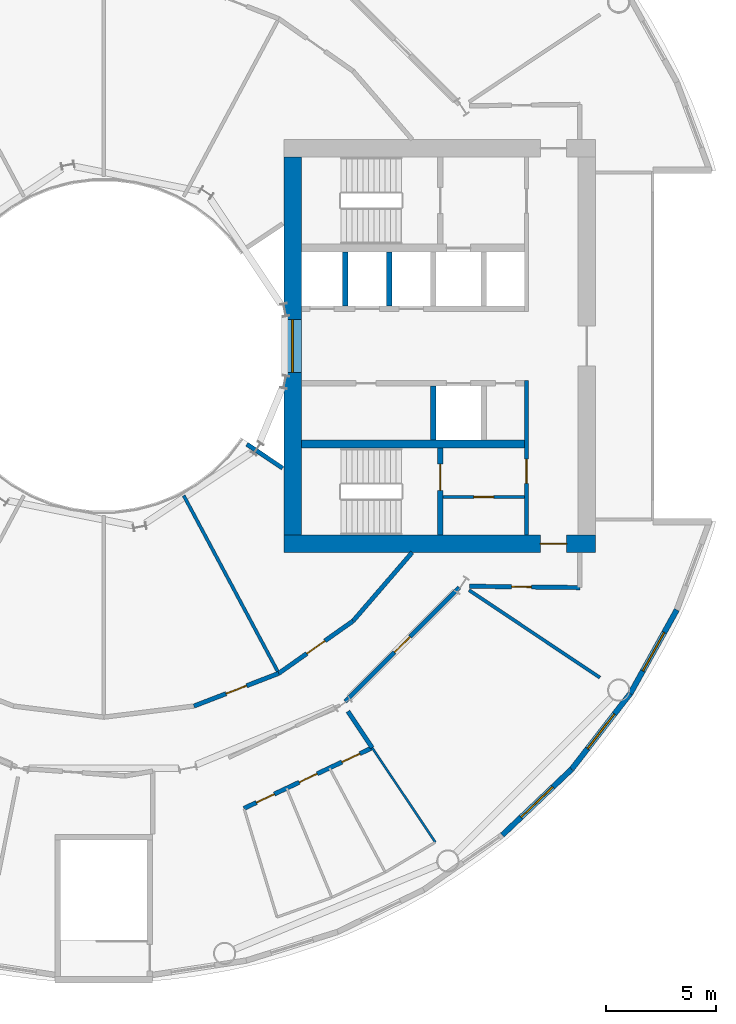
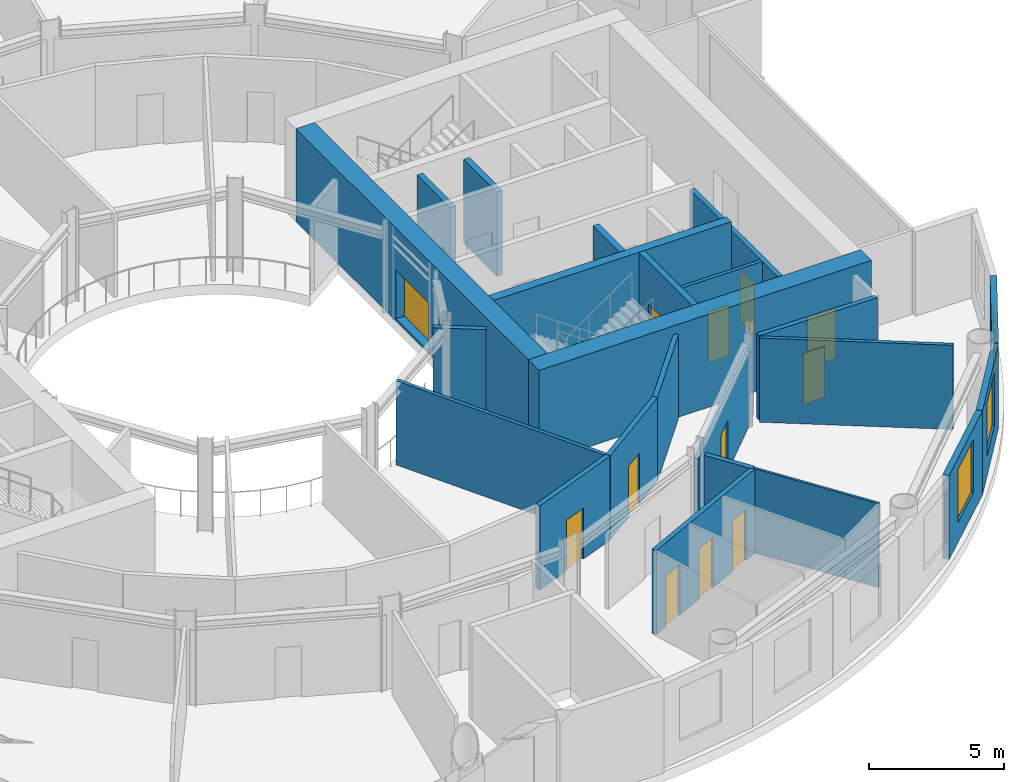
# One storey, part 6 of 13: 23 walls, 11 doors, 4 windows, 15 openings.
"""IFC4 building model written with IfcOpenShell, lengths in metres."""

from ifc_helpers import new_model, si_unit, direction, frame, frame_2d, origin, place, context, subcontext, project, spatial, rectangle, extrude, material, layer, layer_set, type_object, element, fill, save


model = new_model("IFC4")

# Units and contexts
model_context = context("Model", 3, precision=1e-05, world=origin(), true_north=direction((0.0, 1.0)))
body_context = subcontext(model_context, "Body", "Model", "MODEL_VIEW")
ifc_project = project(units=[si_unit("LENGTHUNIT", "METRE"), si_unit("AREAUNIT", "SQUARE_METRE"), si_unit("VOLUMEUNIT", "CUBIC_METRE"), si_unit("PLANEANGLEUNIT", "RADIAN"), si_unit("MASSUNIT", "GRAM", prefix="KILO")], contexts=[model_context])

# Site, building, storey
site_placement = place(None, origin())
site = spatial("IfcSite", under=ifc_project, at=site_placement, CompositionType="ELEMENT")
building_placement = place(site_placement, origin())
building = spatial("IfcBuilding", under=site, at=building_placement, Name="Maasbend Ring Residences", CompositionType="ELEMENT")
storey_placement = place(building_placement, frame((0.0, 0.0, 14.10009765625)))
storey = spatial("IfcBuildingStorey", under=building, at=storey_placement, Name="L03", CompositionType="ELEMENT", Elevation=14.10009765625)

# Wall, opening, door
ifc_material_1 = material(Name="Concrete C70/85", Category="concrete")
ifc_layer_1 = layer(ifc_material_1, 0.25)
ifc_layer_set_1 = layer_set([ifc_layer_1], Name="Concrete C70/85")
wall_type_1 = type_object("IfcWallType", Name="CORE WALL 250 C70/85", PredefinedType="SHEAR", material=ifc_layer_set_1)
wall_1_placement = place(storey_placement, frame((15.324951171875, -8.60009765625, 0.0), z_axis=(0.0, 0.0, 1.0), x_axis=(0.0, 1.0, 0.0)))
wall_1 = element("IfcWall", 1, at=wall_1_placement, inside=storey, type_object=wall_type_1, Name="L03 core E wall STES", PredefinedType="SHEAR", context=body_context, shape_type="SweptSolid", body=[
    extrude(rectangle(XDim=3.9501953125, YDim=0.25, at=frame_2d((1.97509765625, 0.0))), origin(), (0.0, 0.0, 1.0), 4.199951171875),
])
opening_1_placement = place(wall_1_placement, frame((2.02490234375, 0.0, 0.0)))
opening_1 = element("IfcOpeningElement", 2, at=opening_1_placement, cuts=wall_1, Name="Opening D-E0310", PredefinedType="OPENING", context=body_context, shape_type="SweptSolid", body=[
    extrude(rectangle(XDim=1.199951171875, YDim=2.300048828125, at=frame_2d((0.60009765625, 1.14990234375))), frame((0.0, 0.135009765625, 0.0), z_axis=(0.0, -1.0, 0.0), x_axis=(1.0, 0.0, 0.0)), (0.0, 0.0, 1.0), 0.27001953125),
])
ifc_material_2 = material(Name="Steel, powder coated", Category="steel")
door_type_1 = type_object("IfcDoorType", Name="STAIR DOOR 1200 X 2300 FD60", OperationType="NOTDEFINED", PredefinedType="DOOR", material=ifc_material_2)
door_1_placement = place(opening_1_placement, origin())
door_1 = element("IfcDoor", 3, at=door_1_placement, inside=storey, type_object=door_type_1, Name="Stair door ST-E L03", OperationType="SINGLE_SWING_LEFT", OverallHeight=2.300048828125, OverallWidth=1.199951171875, PredefinedType="DOOR", context=body_context, shape_type="SweptSolid", body=[
    extrude(rectangle(XDim=1.199951171875, YDim=2.300048828125, at=frame_2d((0.60009765625, 1.14990234375))), frame((0.0, 0.02490234375, 0.0), z_axis=(0.0, -1.0, 0.0), x_axis=(1.0, 0.0, 0.0)), (0.0, 0.0, 1.0), 0.050048828125),
])
fill(opening_1, door_1)

# Wall
ifc_material_3 = material(Name="Concrete C70/85", Category="concrete")
ifc_layer_2 = layer(ifc_material_3, 0.375)
ifc_layer_set_2 = layer_set([ifc_layer_2], Name="Concrete C70/85")
wall_type_2 = type_object("IfcWallType", Name="CORE WALL 375 C70/85", PredefinedType="SHEAR", material=ifc_layer_set_2)
wall_2_placement = place(storey_placement, frame((9.0, -4.46240234375, 0.0), z_axis=(0.0, 0.0, 1.0), x_axis=(1.0, 0.0, 0.0)))
element("IfcWall", 4, at=wall_2_placement, inside=storey, type_object=wall_type_2, Name="L03 core E wall BS", PredefinedType="SHEAR", context=body_context, shape_type="SweptSolid", body=[
    extrude(rectangle(XDim=10.14990234375, YDim=0.375, at=frame_2d((5.074951171875, 0.0))), origin(), (0.0, 0.0, 1.0), 4.199951171875),
])

# Wall, opening, door
ifc_material_4 = material(Name="Concrete C70/85", Category="concrete")
ifc_layer_3 = layer(ifc_material_4, 0.800048828125)
ifc_layer_set_3 = layer_set([ifc_layer_3], Name="Concrete C70/85")
wall_type_3 = type_object("IfcWallType", Name="CORE WALL 800 C70/85", PredefinedType="SHEAR", material=ifc_layer_set_3)
wall_3_placement = place(storey_placement, frame((8.199951171875, -9.0, 0.0), z_axis=(0.0, 0.0, 1.0), x_axis=(1.0, 0.0, 0.0)))
wall_3 = element("IfcWall", 5, at=wall_3_placement, inside=storey, type_object=wall_type_3, Name="L03 core E wall PS", PredefinedType="SHEAR", context=body_context, shape_type="SweptSolid", body=[
    extrude(rectangle(XDim=14.199951171875, YDim=0.800048828125, at=frame_2d((7.10009765625, 0.0))), origin(), (0.0, 0.0, 1.0), 4.199951171875),
])
opening_2_placement = place(wall_3_placement, frame((11.675048828125, 0.0, 0.0)))
opening_2 = element("IfcOpeningElement", 6, at=opening_2_placement, cuts=wall_3, Name="Opening D-E0314", PredefinedType="OPENING", context=body_context, shape_type="SweptSolid", body=[
    extrude(rectangle(XDim=1.199951171875, YDim=2.300048828125, at=frame_2d((0.60009765625, 1.14990234375))), frame((0.0, 0.41015625, 0.0), z_axis=(0.0, -1.0, 0.0), x_axis=(1.0, 0.0, 0.0)), (0.0, 0.0, 1.0), 0.820068359375),
])
ifc_material_5 = material(Name="Steel, powder coated", Category="steel")
door_type_2 = type_object("IfcDoorType", Name="CORRIDOR DOOR 1200 X 2300 FD30S", OperationType="NOTDEFINED", PredefinedType="DOOR", material=ifc_material_5)
door_2_placement = place(opening_2_placement, origin())
door_2 = element("IfcDoor", 7, at=door_2_placement, inside=storey, type_object=door_type_2, Name="Corridor door L03", OperationType="SINGLE_SWING_LEFT", OverallHeight=2.300048828125, OverallWidth=1.199951171875, PredefinedType="DOOR", context=body_context, shape_type="SweptSolid", body=[
    extrude(rectangle(XDim=1.199951171875, YDim=2.300048828125, at=frame_2d((0.60009765625, 1.14990234375))), frame((0.0, 0.02490234375, 0.0), z_axis=(0.0, -1.0, 0.0), x_axis=(1.0, 0.0, 0.0)), (0.0, 0.0, 1.0), 0.050048828125),
])
fill(opening_2, door_2)

# Wall, opening, window
wall_4_placement = place(storey_placement, frame((8.60009765625, -8.60009765625, 0.0), z_axis=(0.0, 0.0, 1.0), x_axis=(0.0, 1.0, 0.0)))
wall_4 = element("IfcWall", 8, at=wall_4_placement, inside=storey, type_object=wall_type_3, Name="L03 core E wall PIN", PredefinedType="SHEAR", context=body_context, shape_type="SweptSolid", body=[
    extrude(rectangle(XDim=17.2001953125, YDim=0.800048828125, at=frame_2d((8.60009765625, 0.0))), origin(), (0.0, 0.0, 1.0), 4.199951171875),
])
opening_3_placement = place(wall_4_placement, frame((7.39990234375, 0.0, 0.10009765625)))
opening_3 = element("IfcOpeningElement", 9, at=opening_3_placement, cuts=wall_4, Name="Opening W-E0301", PredefinedType="OPENING", context=body_context, shape_type="SweptSolid", body=[
    extrude(rectangle(XDim=2.39990234375, YDim=2.199951171875, at=frame_2d((1.199951171875, 1.10009765625))), frame((0.0, 0.41015625, 0.0), z_axis=(0.0, -1.0, 0.0), x_axis=(1.0, 0.0, 0.0)), (0.0, 0.0, 1.0), 0.820068359375),
])
ifc_material_6 = material(Name="Aluminium frame and clear glass", Category="aluminium")
window_type_1 = type_object("IfcWindowType", Name="FIXED WINDOW 2400 X 2200", PartitioningType="SINGLE_PANEL", PredefinedType="WINDOW", material=ifc_material_6)
window_1_placement = place(opening_3_placement, origin())
window_1 = element("IfcWindow", 10, at=window_1_placement, inside=storey, type_object=window_type_1, Name="Lobby window L03", OverallHeight=2.199951171875, OverallWidth=2.39990234375, PartitioningType="SINGLE_PANEL", PredefinedType="WINDOW", context=body_context, shape_type="SweptSolid", body=[
    extrude(rectangle(XDim=2.39990234375, YDim=2.199951171875, at=frame_2d((1.199951171875, 1.10009765625))), frame((0.0, 0.030029296875, 0.0), z_axis=(0.0, -1.0, 0.0), x_axis=(1.0, 0.0, 0.0)), (0.0, 0.0, 1.0), 0.06005859375),
])
fill(opening_3, window_1)

# Wall, openings, doors
ifc_material_7 = material(Name="Concrete C30/37", Category="concrete")
ifc_layer_4 = layer(ifc_material_7, 0.199951171875)
ifc_layer_set_4 = layer_set([ifc_layer_4], Name="Concrete C30/37")
wall_type_4 = type_object("IfcWallType", Name="CORRIDOR WALL 200 CONCRETE", PredefinedType="PARTITIONING", material=ifc_layer_set_4)
wall_5_placement = place(storey_placement, frame((6.383056640625, -21.053955078125, 0.0), z_axis=(0.0, 0.0, 1.0), x_axis=(0.904110764787, 0.427298168726, 0.0)))
wall_5 = element("IfcWall", 11, at=wall_5_placement, inside=storey, type_object=wall_type_4, Name="U-L03-w001", PredefinedType="PARTITIONING", context=body_context, shape_type="SweptSolid", body=[
    extrude(rectangle(XDim=6.459228515625, YDim=0.199951171875, at=frame_2d((3.2294921875, 0.0))), origin(), (0.0, 0.0, 1.0), 3.7998046875),
])
opening_4_placement = place(wall_5_placement, frame((0.62890625, 0.0, 0.0)))
opening_4 = element("IfcOpeningElement", 12, at=opening_4_placement, cuts=wall_5, Name="Opening D-0306", PredefinedType="OPENING", context=body_context, shape_type="SweptSolid", body=[
    extrude(rectangle(XDim=0.89990234375, YDim=2.300048828125, at=frame_2d((0.449951171875, 1.14990234375))), frame((0.0, 0.10986328125, 0.0), z_axis=(0.0, -1.0, 0.0), x_axis=(1.0, 0.0, 0.0)), (0.0, 0.0, 1.0), 0.219970703125),
])
opening_5_placement = place(wall_5_placement, frame((2.785888671875, 0.0, 0.0)))
opening_5 = element("IfcOpeningElement", 13, at=opening_5_placement, cuts=wall_5, Name="Opening D-0307", PredefinedType="OPENING", context=body_context, shape_type="SweptSolid", body=[
    extrude(rectangle(XDim=0.89990234375, YDim=2.300048828125, at=frame_2d((0.449951171875, 1.14990234375))), frame((0.0, 0.10986328125, 0.0), z_axis=(0.0, -1.0, 0.0), x_axis=(1.0, 0.0, 0.0)), (0.0, 0.0, 1.0), 0.219970703125),
])
opening_6_placement = place(wall_5_placement, frame((4.93603515625, 0.0, 0.0)))
opening_6 = element("IfcOpeningElement", 14, at=opening_6_placement, cuts=wall_5, Name="Opening D-0308", PredefinedType="OPENING", context=body_context, shape_type="SweptSolid", body=[
    extrude(rectangle(XDim=0.89990234375, YDim=2.300048828125, at=frame_2d((0.449951171875, 1.14990234375))), frame((0.0, 0.10986328125, 0.0), z_axis=(0.0, -1.0, 0.0), x_axis=(1.0, 0.0, 0.0)), (0.0, 0.0, 1.0), 0.219970703125),
])
ifc_material_8 = material(Name="Timber, painted", Category="wood")
door_type_3 = type_object("IfcDoorType", Name="INTERNAL DOOR 900 X 2300", OperationType="NOTDEFINED", PredefinedType="DOOR", material=ifc_material_8)
door_3_placement = place(opening_4_placement, origin())
door_3 = element("IfcDoor", 15, at=door_3_placement, inside=storey, type_object=door_type_3, Name="D-0306", OperationType="SINGLE_SWING_LEFT", OverallHeight=2.300048828125, OverallWidth=0.89990234375, PredefinedType="DOOR", context=body_context, shape_type="SweptSolid", body=[
    extrude(rectangle(XDim=0.89990234375, YDim=2.300048828125, at=frame_2d((0.449951171875, 1.14990234375))), frame((0.0, 0.02490234375, 0.0), z_axis=(0.0, -1.0, 0.0), x_axis=(1.0, 0.0, 0.0)), (0.0, 0.0, 1.0), 0.050048828125),
])
fill(opening_4, door_3)
door_4_placement = place(opening_5_placement, origin())
door_4 = element("IfcDoor", 16, at=door_4_placement, inside=storey, type_object=door_type_3, Name="D-0307", OperationType="SINGLE_SWING_RIGHT", OverallHeight=2.300048828125, OverallWidth=0.89990234375, PredefinedType="DOOR", context=body_context, shape_type="SweptSolid", body=[
    extrude(rectangle(XDim=0.89990234375, YDim=2.300048828125, at=frame_2d((0.449951171875, 1.14990234375))), frame((0.0, 0.02490234375, 0.0), z_axis=(0.0, -1.0, 0.0), x_axis=(1.0, 0.0, 0.0)), (0.0, 0.0, 1.0), 0.050048828125),
])
fill(opening_5, door_4)
door_5_placement = place(opening_6_placement, origin())
door_5 = element("IfcDoor", 17, at=door_5_placement, inside=storey, type_object=door_type_3, Name="D-0308", OperationType="SINGLE_SWING_RIGHT", OverallHeight=2.300048828125, OverallWidth=0.89990234375, PredefinedType="DOOR", context=body_context, shape_type="SweptSolid", body=[
    extrude(rectangle(XDim=0.89990234375, YDim=2.300048828125, at=frame_2d((0.449951171875, 1.14990234375))), frame((0.0, 0.02490234375, 0.0), z_axis=(0.0, -1.0, 0.0), x_axis=(1.0, 0.0, 0.0)), (0.0, 0.0, 1.0), 0.050048828125),
])
fill(opening_6, door_5)

# Wall, opening, door
wall_6_placement = place(storey_placement, frame((10.998046875, -16.18798828125, 0.0), z_axis=(0.0, 0.0, 1.0), x_axis=(0.707106781187, 0.707106781187, 0.0)))
wall_6 = element("IfcWall", 18, at=wall_6_placement, inside=storey, type_object=wall_type_4, Name="U-L03-w009", PredefinedType="PARTITIONING", context=body_context, shape_type="SweptSolid", body=[
    extrude(rectangle(XDim=7.339599609375, YDim=0.199951171875, at=frame_2d((3.669921875, 0.0))), origin(), (0.0, 0.0, 1.0), 3.3798828125),
])
opening_7_placement = place(wall_6_placement, frame((3.169921875, 0.0, 0.0)))
opening_7 = element("IfcOpeningElement", 19, at=opening_7_placement, cuts=wall_6, Name="Opening D-0320", PredefinedType="OPENING", context=body_context, shape_type="SweptSolid", body=[
    extrude(rectangle(XDim=1.0, YDim=2.300048828125, at=frame_2d((0.5, 1.14990234375))), frame((0.0, 0.10986328125, 0.0), z_axis=(0.0, -1.0, 0.0), x_axis=(1.0, 0.0, 0.0)), (0.0, 0.0, 1.0), 0.219970703125),
])
ifc_material_9 = material(Name="Timber, painted", Category="wood")
door_type_4 = type_object("IfcDoorType", Name="ROOM DOOR 1000 X 2300", OperationType="NOTDEFINED", PredefinedType="DOOR", material=ifc_material_9)
door_6_placement = place(opening_7_placement, origin())
door_6 = element("IfcDoor", 20, at=door_6_placement, inside=storey, type_object=door_type_4, Name="D-0320", OperationType="SINGLE_SWING_LEFT", OverallHeight=2.300048828125, OverallWidth=1.0, PredefinedType="DOOR", context=body_context, shape_type="SweptSolid", body=[
    extrude(rectangle(XDim=1.0, YDim=2.300048828125, at=frame_2d((0.5, 1.14990234375))), frame((0.0, 0.02490234375, 0.0), z_axis=(0.0, -1.0, 0.0), x_axis=(1.0, 0.0, 0.0)), (0.0, 0.0, 1.0), 0.050048828125),
])
fill(opening_7, door_6)

wall_7_placement = place(storey_placement, frame((4.10595703125, -16.39404296875, 0.0), z_axis=(0.0, 0.0, 1.0), x_axis=(0.932943640288, 0.360022449363, 0.0)))
wall_7 = element("IfcWall", 21, at=wall_7_placement, inside=storey, type_object=wall_type_4, Name="U-L03-w015", PredefinedType="PARTITIONING", context=body_context, shape_type="SweptSolid", body=[
    extrude(rectangle(XDim=4.138671875, YDim=0.199951171875, at=frame_2d((2.0693359375, 0.0))), origin(), (0.0, 0.0, 1.0), 3.7998046875),
])
opening_8_placement = place(wall_7_placement, frame((1.569091796875, 0.0, 0.0)))
opening_8 = element("IfcOpeningElement", 22, at=opening_8_placement, cuts=wall_7, Name="Opening D-0323", PredefinedType="OPENING", context=body_context, shape_type="SweptSolid", body=[
    extrude(rectangle(XDim=1.0, YDim=2.300048828125, at=frame_2d((0.5, 1.14990234375))), frame((0.0, 0.10986328125, 0.0), z_axis=(0.0, -1.0, 0.0), x_axis=(1.0, 0.0, 0.0)), (0.0, 0.0, 1.0), 0.219970703125),
])
door_7_placement = place(opening_8_placement, origin())
door_7 = element("IfcDoor", 23, at=door_7_placement, inside=storey, type_object=door_type_4, Name="D-0323", OperationType="SINGLE_SWING_RIGHT", OverallHeight=2.300048828125, OverallWidth=1.0, PredefinedType="DOOR", context=body_context, shape_type="SweptSolid", body=[
    extrude(rectangle(XDim=1.0, YDim=2.300048828125, at=frame_2d((0.5, 1.14990234375))), frame((0.0, 0.02490234375, 0.0), z_axis=(0.0, -1.0, 0.0), x_axis=(1.0, 0.0, 0.0)), (0.0, 0.0, 1.0), 0.050048828125),
])
fill(opening_8, door_7)

wall_8_placement = place(storey_placement, frame((7.967041015625, -14.904052734375, 0.0), z_axis=(0.0, 0.0, 1.0), x_axis=(0.817567680547, 0.575832517079, 0.0)))
wall_8 = element("IfcWall", 24, at=wall_8_placement, inside=storey, type_object=wall_type_4, Name="U-L03-w016", PredefinedType="PARTITIONING", context=body_context, shape_type="SweptSolid", body=[
    extrude(rectangle(XDim=4.13671875, YDim=0.199951171875, at=frame_2d((2.068359375, 0.0))), origin(), (0.0, 0.0, 1.0), 3.7998046875),
])
opening_9_placement = place(wall_8_placement, frame((1.568115234375, 0.0, 0.0)))
opening_9 = element("IfcOpeningElement", 25, at=opening_9_placement, cuts=wall_8, Name="Opening D-0324", PredefinedType="OPENING", context=body_context, shape_type="SweptSolid", body=[
    extrude(rectangle(XDim=1.0, YDim=2.300048828125, at=frame_2d((0.5, 1.14990234375))), frame((0.0, 0.10986328125, 0.0), z_axis=(0.0, -1.0, 0.0), x_axis=(1.0, 0.0, 0.0)), (0.0, 0.0, 1.0), 0.219970703125),
])
door_8_placement = place(opening_9_placement, origin())
door_8 = element("IfcDoor", 26, at=door_8_placement, inside=storey, type_object=door_type_4, Name="D-0324", OperationType="SINGLE_SWING_RIGHT", OverallHeight=2.300048828125, OverallWidth=1.0, PredefinedType="DOOR", context=body_context, shape_type="SweptSolid", body=[
    extrude(rectangle(XDim=1.0, YDim=2.300048828125, at=frame_2d((0.5, 1.14990234375))), frame((0.0, 0.02490234375, 0.0), z_axis=(0.0, -1.0, 0.0), x_axis=(1.0, 0.0, 0.0)), (0.0, 0.0, 1.0), 0.050048828125),
])
fill(opening_9, door_8)

# Wall
wall_9_placement = place(storey_placement, frame((11.34912109375, -12.52197265625, 0.0), z_axis=(0.0, 0.0, 1.0), x_axis=(0.653274518104, 0.757121129012, 0.0)))
element("IfcWall", 27, at=wall_9_placement, inside=storey, type_object=wall_type_4, Name="U-L03-w017", PredefinedType="PARTITIONING", context=body_context, shape_type="SweptSolid", body=[
    extrude(rectangle(XDim=4.12353515625, YDim=0.199951171875, at=frame_2d((2.061767578125, 0.0))), origin(), (0.0, 0.0, 1.0), 3.7998046875),
])

# Wall, opening, door
wall_10_placement = place(storey_placement, frame((16.64306640625, -10.93798828125, 0.0), z_axis=(0.0, 0.0, 1.0), x_axis=(0.999924074118, -0.012322580895, 0.0)))
wall_10 = element("IfcWall", 28, at=wall_10_placement, inside=storey, type_object=wall_type_4, Name="U-L03-w019", PredefinedType="PARTITIONING", context=body_context, shape_type="SweptSolid", body=[
    extrude(rectangle(XDim=5.032470703125, YDim=0.199951171875, at=frame_2d((2.51611328125, 0.0))), origin(), (0.0, 0.0, 1.0), 3.7998046875),
])
opening_10_placement = place(wall_10_placement, frame((1.927978515625, 0.0, 0.0)))
opening_10 = element("IfcOpeningElement", 29, at=opening_10_placement, cuts=wall_10, Name="Opening D-0327", PredefinedType="OPENING", context=body_context, shape_type="SweptSolid", body=[
    extrude(rectangle(XDim=0.89990234375, YDim=2.300048828125, at=frame_2d((0.449951171875, 1.14990234375))), frame((0.0, 0.10986328125, 0.0), z_axis=(0.0, -1.0, 0.0), x_axis=(1.0, 0.0, 0.0)), (0.0, 0.0, 1.0), 0.219970703125),
])
ifc_material_10 = material(Name="Steel, fire-rated, painted", Category="steel")
door_type_5 = type_object("IfcDoorType", Name="SERVICE DOOR 900 X 2300 FIRE-RATED", OperationType="NOTDEFINED", PredefinedType="DOOR", material=ifc_material_10)
door_9_placement = place(opening_10_placement, origin())
door_9 = element("IfcDoor", 30, at=door_9_placement, inside=storey, type_object=door_type_5, Name="D-0327", OperationType="SINGLE_SWING_LEFT", OverallHeight=2.300048828125, OverallWidth=0.89990234375, PredefinedType="DOOR", context=body_context, shape_type="SweptSolid", body=[
    extrude(rectangle(XDim=0.89990234375, YDim=2.300048828125, at=frame_2d((0.449951171875, 1.14990234375))), frame((0.0, 0.02490234375, 0.0), z_axis=(0.0, -1.0, 0.0), x_axis=(1.0, 0.0, 0.0)), (0.0, 0.0, 1.0), 0.050048828125),
])
fill(opening_10, door_9)

# Wall
wall_11_placement = place(storey_placement, frame((11.114990234375, -16.635009765625, 0.0), z_axis=(0.0, 0.0, 1.0), x_axis=(0.555491592772, -0.831522152657, 0.0)))
element("IfcWall", 31, at=wall_11_placement, inside=storey, type_object=wall_type_4, Name="U-L03-w040", PredefinedType="PARTITIONING", context=body_context, shape_type="SweptSolid", body=[
    extrude(rectangle(XDim=1.99267578125, YDim=0.199951171875, at=frame_2d((0.996337890625, 0.0))), origin(), (0.0, 0.0, 1.0), 3.7998046875),
])

# Wall, opening, window
ifc_material_11 = material(Name="Aluminium clad insulated panel", Category="aluminium")
ifc_layer_5 = layer(ifc_material_11, 0.25)
ifc_layer_set_5 = layer_set([ifc_layer_5], Name="EW-GL")
wall_type_5 = type_object("IfcWallType", Name="EW-GL", PredefinedType="SOLIDWALL", material=ifc_layer_set_5)
wall_12_placement = place(storey_placement, frame((18.14306640625, -22.27001953125, 0.0), z_axis=(0.0, 0.0, 1.0), x_axis=(0.725101501119, 0.68864200647, 0.0)))
wall_12 = element("IfcWall", 32, at=wall_12_placement, inside=storey, type_object=wall_type_5, Name="Community floor wall 31", PredefinedType="SOLIDWALL", context=body_context, shape_type="SweptSolid", body=[
    extrude(rectangle(XDim=4.359130859375, YDim=0.25, at=frame_2d((2.1796875, 0.0))), origin(), (0.0, 0.0, 1.0), 3.7998046875),
])
opening_11_placement = place(wall_12_placement, frame((1.179931640625, 0.0, 0.89990234375)))
opening_11 = element("IfcOpeningElement", 33, at=opening_11_placement, cuts=wall_12, Name="Opening W-BD", PredefinedType="OPENING", context=body_context, shape_type="SweptSolid", body=[
    extrude(rectangle(XDim=2.0, YDim=2.39990234375, at=frame_2d((1.0, 1.199951171875))), frame((0.0, 0.135009765625, 0.0), z_axis=(0.0, -1.0, 0.0), x_axis=(1.0, 0.0, 0.0)), (0.0, 0.0, 1.0), 0.27001953125),
])
ifc_material_12 = material(Name="Aluminium and clear glass", Category="aluminium")
window_type_2 = type_object("IfcWindowType", Name="W-BD", PartitioningType="DOUBLE_PANEL_VERTICAL", PredefinedType="WINDOW", material=ifc_material_12)
window_2_placement = place(opening_11_placement, origin())
window_2 = element("IfcWindow", 34, at=window_2_placement, inside=storey, type_object=window_type_2, Name="Community floor window 31", OverallHeight=2.39990234375, OverallWidth=2.0, PartitioningType="SINGLE_PANEL", PredefinedType="WINDOW", context=body_context, shape_type="SweptSolid", body=[
    extrude(rectangle(XDim=2.0, YDim=2.39990234375, at=frame_2d((1.0, 1.199951171875))), frame((0.0, 0.030029296875, 0.0), z_axis=(0.0, -1.0, 0.0), x_axis=(1.0, 0.0, 0.0)), (0.0, 0.0, 1.0), 0.06005859375),
])
fill(opening_11, window_2)

wall_13_placement = place(storey_placement, frame((21.303955078125, -19.26806640625, 0.0), z_axis=(0.0, 0.0, 1.0), x_axis=(0.612637256412, 0.790364214812, 0.0)))
wall_13 = element("IfcWall", 35, at=wall_13_placement, inside=storey, type_object=wall_type_5, Name="Community floor wall 32", PredefinedType="SOLIDWALL", context=body_context, shape_type="SweptSolid", body=[
    extrude(rectangle(XDim=4.360107421875, YDim=0.25, at=frame_2d((2.18017578125, 0.0))), origin(), (0.0, 0.0, 1.0), 3.7998046875),
])
opening_12_placement = place(wall_13_placement, frame((1.179931640625, 0.0, 0.89990234375)))
opening_12 = element("IfcOpeningElement", 36, at=opening_12_placement, cuts=wall_13, Name="Opening W-BD", PredefinedType="OPENING", context=body_context, shape_type="SweptSolid", body=[
    extrude(rectangle(XDim=2.0, YDim=2.39990234375, at=frame_2d((1.0, 1.199951171875))), frame((0.0, 0.135009765625, 0.0), z_axis=(0.0, -1.0, 0.0), x_axis=(1.0, 0.0, 0.0)), (0.0, 0.0, 1.0), 0.27001953125),
])
window_3_placement = place(opening_12_placement, origin())
window_3 = element("IfcWindow", 37, at=window_3_placement, inside=storey, type_object=window_type_2, Name="Community floor window 32", OverallHeight=2.39990234375, OverallWidth=2.0, PartitioningType="SINGLE_PANEL", PredefinedType="WINDOW", context=body_context, shape_type="SweptSolid", body=[
    extrude(rectangle(XDim=2.0, YDim=2.39990234375, at=frame_2d((1.0, 1.199951171875))), frame((0.0, 0.030029296875, 0.0), z_axis=(0.0, -1.0, 0.0), x_axis=(1.0, 0.0, 0.0)), (0.0, 0.0, 1.0), 0.06005859375),
])
fill(opening_12, window_3)

wall_14_placement = place(storey_placement, frame((23.97509765625, -15.822021484375, 0.0), z_axis=(0.0, 0.0, 1.0), x_axis=(0.485761785263, 0.8740912355, 0.0)))
wall_14 = element("IfcWall", 38, at=wall_14_placement, inside=storey, type_object=wall_type_5, Name="Community floor wall 33", PredefinedType="SOLIDWALL", context=body_context, shape_type="SweptSolid", body=[
    extrude(rectangle(XDim=4.360107421875, YDim=0.25, at=frame_2d((2.18017578125, 0.0))), origin(), (0.0, 0.0, 1.0), 3.7998046875),
])
opening_13_placement = place(wall_14_placement, frame((1.179931640625, 0.0, 0.89990234375)))
opening_13 = element("IfcOpeningElement", 39, at=opening_13_placement, cuts=wall_14, Name="Opening W-BD", PredefinedType="OPENING", context=body_context, shape_type="SweptSolid", body=[
    extrude(rectangle(XDim=2.0, YDim=2.39990234375, at=frame_2d((1.0, 1.199951171875))), frame((0.0, 0.135009765625, 0.0), z_axis=(0.0, -1.0, 0.0), x_axis=(1.0, 0.0, 0.0)), (0.0, 0.0, 1.0), 0.27001953125),
])
window_4_placement = place(opening_13_placement, origin())
window_4 = element("IfcWindow", 40, at=window_4_placement, inside=storey, type_object=window_type_2, Name="Community floor window 33", OverallHeight=2.39990234375, OverallWidth=2.0, PartitioningType="SINGLE_PANEL", PredefinedType="WINDOW", context=body_context, shape_type="SweptSolid", body=[
    extrude(rectangle(XDim=2.0, YDim=2.39990234375, at=frame_2d((1.0, 1.199951171875))), frame((0.0, 0.030029296875, 0.0), z_axis=(0.0, -1.0, 0.0), x_axis=(1.0, 0.0, 0.0)), (0.0, 0.0, 1.0), 0.06005859375),
])
fill(opening_13, window_4)

# Wall
ifc_material_13 = material(Name="Gypsum board on steel studs", Category="steel")
ifc_layer_6 = layer(ifc_material_13, 0.10009765625)
ifc_layer_set_6 = layer_set([ifc_layer_6], Name="PARTITION 100 GYPSUM")
wall_type_6 = type_object("IfcWallType", Name="PARTITION 100 GYPSUM", PredefinedType="PARTITIONING", material=ifc_layer_set_6)
wall_15_placement = place(storey_placement, frame((12.221923828125, -18.2919921875, 0.0), z_axis=(0.0, 0.0, 1.0), x_axis=(0.555549082229, -0.83148374442, 0.0)))
element("IfcWall", 41, at=wall_15_placement, inside=storey, type_object=wall_type_6, Name="U-L03-w042", PredefinedType="PARTITIONING", context=body_context, shape_type="SweptSolid", body=[
    extrude(rectangle(XDim=5.175048828125, YDim=0.10009765625, at=frame_2d((2.58740234375, 0.0))), origin(), (0.0, 0.0, 1.0), 3.7998046875),
])

# Wall, opening, door
ifc_material_14 = material(Name="Gypsum board on steel studs", Category="steel")
ifc_layer_7 = layer(ifc_material_14, 0.14990234375)
ifc_layer_set_7 = layer_set([ifc_layer_7], Name="PARTITION 150 EI 60")
wall_type_7 = type_object("IfcWallType", Name="PARTITION 150 EI 60", PredefinedType="PARTITIONING", material=ifc_layer_set_7)
wall_16_placement = place(storey_placement, frame((15.449951171875, -6.875, 0.0), z_axis=(0.0, 0.0, 1.0), x_axis=(1.0, 0.0, 0.0)))
wall_16 = element("IfcWall", 42, at=wall_16_placement, inside=storey, type_object=wall_type_7, Name="L03 core E wall RHS", PredefinedType="PARTITIONING", context=body_context, shape_type="SweptSolid", body=[
    extrude(rectangle(XDim=3.699951171875, YDim=0.14990234375, at=frame_2d((1.85009765625, 0.0))), origin(), (0.0, 0.0, 1.0), 3.7998046875),
])
opening_14_placement = place(wall_16_placement, frame((1.39990234375, 0.0, 0.0)))
opening_14 = element("IfcOpeningElement", 43, at=opening_14_placement, cuts=wall_16, Name="Opening D-E0308", PredefinedType="OPENING", context=body_context, shape_type="SweptSolid", body=[
    extrude(rectangle(XDim=0.89990234375, YDim=2.300048828125, at=frame_2d((0.449951171875, 1.14990234375))), frame((0.0, 0.0849609375, 0.0), z_axis=(0.0, -1.0, 0.0), x_axis=(1.0, 0.0, 0.0)), (0.0, 0.0, 1.0), 0.169921875),
])
ifc_material_15 = material(Name="Steel, powder coated", Category="steel")
door_type_6 = type_object("IfcDoorType", Name="RISER DOOR 900 X 2300 FD60", OperationType="NOTDEFINED", PredefinedType="DOOR", material=ifc_material_15)
door_10_placement = place(opening_14_placement, origin())
door_10 = element("IfcDoor", 44, at=door_10_placement, inside=storey, type_object=door_type_6, Name="Riser door L03", OperationType="SINGLE_SWING_LEFT", OverallHeight=2.300048828125, OverallWidth=0.89990234375, PredefinedType="DOOR", context=body_context, shape_type="SweptSolid", body=[
    extrude(rectangle(XDim=0.89990234375, YDim=2.300048828125, at=frame_2d((0.449951171875, 1.14990234375))), frame((0.0, 0.02490234375, 0.0), z_axis=(0.0, -1.0, 0.0), x_axis=(1.0, 0.0, 0.0)), (0.0, 0.0, 1.0), 0.050048828125),
])
fill(opening_14, door_10)

# Walls
ifc_material_16 = material(Name="Gypsum board on steel studs", Category="steel")
ifc_layer_8 = layer(ifc_material_16, 0.14990234375)
ifc_layer_set_8 = layer_set([ifc_layer_8], Name="PARTITION 150 GYPSUM")
wall_type_8 = type_object("IfcWallType", Name="PARTITION 150 GYPSUM", PredefinedType="PARTITIONING", material=ifc_layer_set_8)
wall_17_placement = place(storey_placement, frame((3.638916015625, -6.80810546875, 0.0), z_axis=(0.0, 0.0, 1.0), x_axis=(0.471460365694, -0.881887251059, 0.0)))
element("IfcWall", 45, at=wall_17_placement, inside=storey, type_object=wall_type_8, Name="U-L03-w035", PredefinedType="PARTITIONING", context=body_context, shape_type="SweptSolid", body=[
    extrude(rectangle(XDim=9.18017578125, YDim=0.14990234375, at=frame_2d((4.590087890625, 0.0))), origin(), (0.0, 0.0, 1.0), 3.7998046875),
])
wall_18_placement = place(storey_placement, frame((16.633056640625, -11.117919921875, 0.0), z_axis=(0.0, 0.0, 1.0), x_axis=(0.831415754305, -0.555650828752, 0.0)))
element("IfcWall", 46, at=wall_18_placement, inside=storey, type_object=wall_type_8, Name="U-L03-w043", PredefinedType="PARTITIONING", context=body_context, shape_type="SweptSolid", body=[
    extrude(rectangle(XDim=7.16845703125, YDim=0.14990234375, at=frame_2d((3.584228515625, 0.0))), origin(), (0.0, 0.0, 1.0), 3.7998046875),
])
ifc_material_17 = material(Name="Concrete C30/37", Category="concrete")
ifc_layer_9 = layer(ifc_material_17, 0.199951171875)
ifc_layer_set_9 = layer_set([ifc_layer_9], Name="Concrete C30/37")
wall_type_9 = type_object("IfcWallType", Name="PARTY WALL 200 CONCRETE", PredefinedType="PARTITIONING", material=ifc_layer_set_9)
wall_19_placement = place(storey_placement, frame((6.512939453125, -4.471923828125, 0.0), z_axis=(0.0, 0.0, 1.0), x_axis=(0.831417956244, -0.555647533996, 0.0)))
element("IfcWall", 47, at=wall_19_placement, inside=storey, type_object=wall_type_9, Name="U-L03-w022", PredefinedType="PARTITIONING", context=body_context, shape_type="SweptSolid", body=[
    extrude(rectangle(XDim=1.9619140625, YDim=0.199951171875, at=frame_2d((0.98095703125, 0.0))), origin(), (0.0, 0.0, 1.0), 3.7998046875),
])

# Wall, opening, door
ifc_material_18 = material(Name="Concrete C30/37", Category="concrete")
ifc_layer_10 = layer(ifc_material_18, 0.199951171875)
ifc_layer_set_10 = layer_set([ifc_layer_10], Name="Concrete C30/37")
wall_type_10 = type_object("IfcWallType", Name="SHAFT WALL 200 EI 120", PredefinedType="SOLIDWALL", material=ifc_layer_set_10)
wall_20_placement = place(storey_placement, frame((19.25, -8.60009765625, 0.0), z_axis=(0.0, 0.0, 1.0), x_axis=(0.0, 1.0, 0.0)))
wall_20 = element("IfcWall", 48, at=wall_20_placement, inside=storey, type_object=wall_type_10, Name="L03 core E wall ENDS", PredefinedType="SOLIDWALL", context=body_context, shape_type="SweptSolid", body=[
    extrude(rectangle(XDim=7.025146484375, YDim=0.199951171875, at=frame_2d((3.5126953125, 0.0))), origin(), (0.0, 0.0, 1.0), 3.7998046875),
])
opening_15_placement = place(wall_20_placement, frame((2.35009765625, 0.0, 0.0)))
opening_15 = element("IfcOpeningElement", 49, at=opening_15_placement, cuts=wall_20, Name="Opening D-E0312", PredefinedType="OPENING", context=body_context, shape_type="SweptSolid", body=[
    extrude(rectangle(XDim=1.10009765625, YDim=2.300048828125, at=frame_2d((0.550048828125, 1.14990234375))), frame((0.0, 0.10986328125, 0.0), z_axis=(0.0, -1.0, 0.0), x_axis=(1.0, 0.0, 0.0)), (0.0, 0.0, 1.0), 0.219970703125),
])
ifc_material_19 = material(Name="Steel, powder coated", Category="steel")
door_type_7 = type_object("IfcDoorType", Name="LOBBY DOOR 1100 X 2300 FD60", OperationType="NOTDEFINED", PredefinedType="DOOR", material=ifc_material_19)
door_11_placement = place(opening_15_placement, origin())
door_11 = element("IfcDoor", 50, at=door_11_placement, inside=storey, type_object=door_type_7, Name="Lobby door L03", OperationType="SINGLE_SWING_RIGHT", OverallHeight=2.300048828125, OverallWidth=1.10009765625, PredefinedType="DOOR", context=body_context, shape_type="SweptSolid", body=[
    extrude(rectangle(XDim=1.10009765625, YDim=2.300048828125, at=frame_2d((0.550048828125, 1.14990234375))), frame((0.0, 0.02490234375, 0.0), z_axis=(0.0, -1.0, 0.0), x_axis=(1.0, 0.0, 0.0)), (0.0, 0.0, 1.0), 0.050048828125),
])
fill(opening_15, door_11)

# Walls
ifc_material_20 = material(Name="Concrete C30/37", Category="concrete")
ifc_layer_11 = layer(ifc_material_20, 0.25)
ifc_layer_set_11 = layer_set([ifc_layer_11], Name="Concrete C30/37")
wall_type_11 = type_object("IfcWallType", Name="SHAFT WALL 250 EI 120", PredefinedType="SOLIDWALL", material=ifc_layer_set_11)
for number, where, z_axis, x_axis, name in (
    (51, (15.0, -1.824951171875, 0.0), (0.0, 0.0, 1.0), (0.0, -1.0, 0.0), "L03 core E wall D150S"),
    (52, (11.0, 1.824951171875, 0.0), (0.0, 0.0, 1.0), (0.0, 1.0, 0.0), "L03 core E wall D110N"),
    (53, (13.0, 1.824951171875, 0.0), (0.0, 0.0, 1.0), (0.0, 1.0, 0.0), "L03 core E wall D130N"),
):
    element("IfcWall", number, at=place(storey_placement, frame(where, z_axis=z_axis, x_axis=x_axis)), inside=storey, type_object=wall_type_11, Name=name, PredefinedType="SOLIDWALL", context=body_context, shape_type="SweptSolid", body=[
        extrude(rectangle(XDim=2.449951171875, YDim=0.25, at=frame_2d((1.22509765625, 0.0))), origin(), (0.0, 0.0, 1.0), 3.7998046875),
    ])

save(model, "model.ifc")
